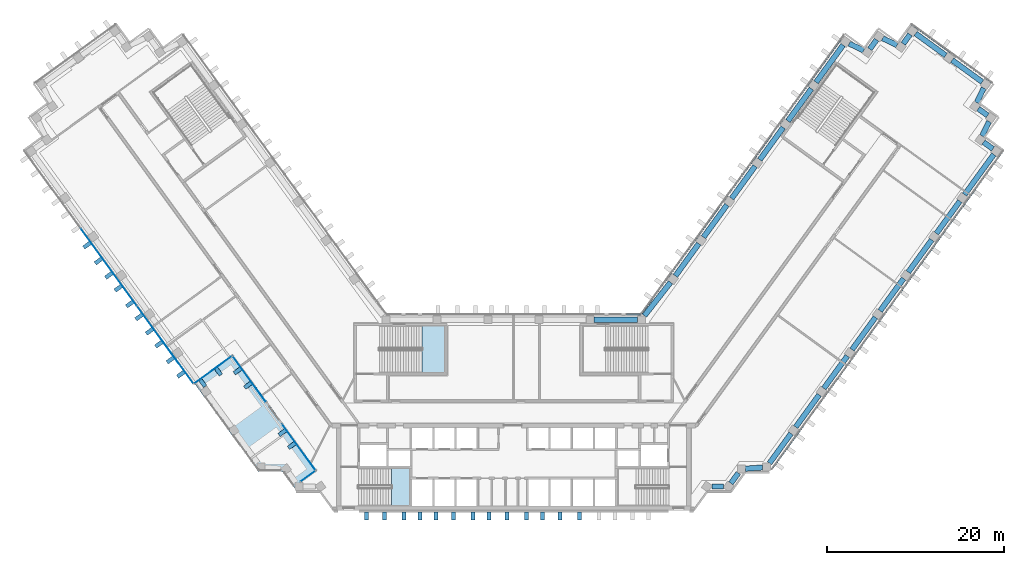
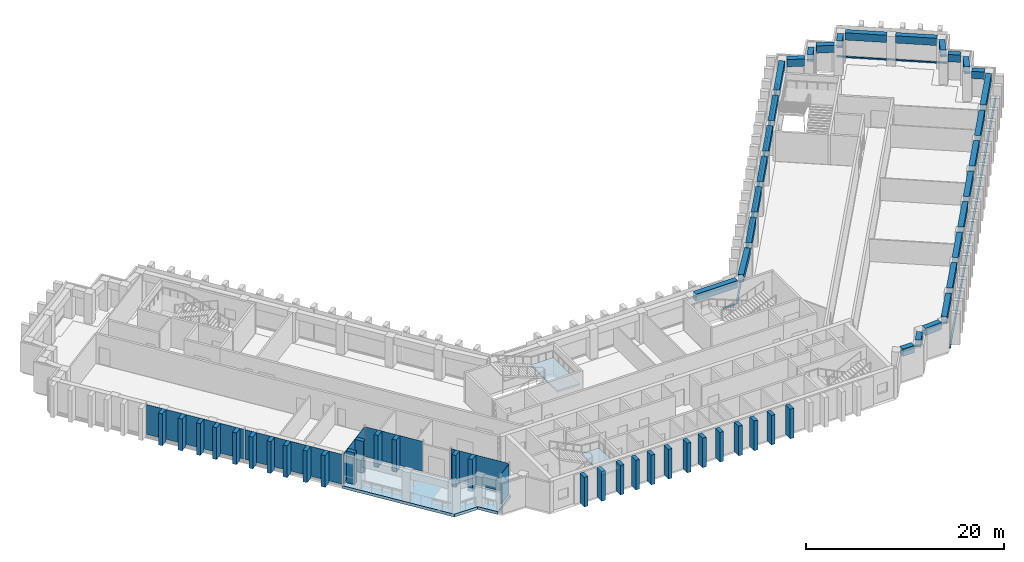
"""IFC4 building model written with IfcOpenShell, lengths in metres."""

from ifc_helpers import new_model, si_unit, direction, frame, origin, origin_2d, place, context, subcontext, project, spatial, polyline, rectangle, outline, extrude, material, layer, layer_set, material_profile, profile_set, type_object, element, aggregate, save


model = new_model("IFC4")

# Units and contexts
model_context = context("Model", 3, precision=1e-05, world=origin(), true_north=direction((0.0, 1.0)))
body_context = subcontext(model_context, "Body", "Model", "MODEL_VIEW")
ifc_project = project(units=[si_unit("LENGTHUNIT", "METRE"), si_unit("AREAUNIT", "SQUARE_METRE"), si_unit("VOLUMEUNIT", "CUBIC_METRE"), si_unit("PLANEANGLEUNIT", "RADIAN"), si_unit("MASSUNIT", "GRAM", prefix="KILO")], contexts=[model_context])

# Site, building, storey
site_placement = place(None, origin())
site = spatial("IfcSite", under=ifc_project, at=site_placement, CompositionType="ELEMENT")
building_placement = place(site_placement, origin())
building = spatial("IfcBuilding", under=site, at=building_placement, Name="Quipu Civic Tower", CompositionType="ELEMENT")
storey_1_placement = place(building_placement, frame((0.0, 0.0, 63.0)))
storey_1 = spatial("IfcBuildingStorey", under=building, at=storey_1_placement, Name="L14", CompositionType="ELEMENT", Elevation=63.0)

# Beams
ifc_material_1 = material(Name="Concrete C50/60", Category="concrete")
ifc_material_profile_1 = material_profile(ifc_material_1, rectangle(XDim=0.60009765625, YDim=0.89990234375, at=origin_2d()), Name="RC600x900")
ifc_profile_set_1 = profile_set([ifc_material_profile_1], Name="Concrete C50/60")
beam_type = type_object("IfcBeamType", Name="Spandrel beam RC 600x900 C50/60", PredefinedType="SPANDREL", material=ifc_profile_set_1)
beam_1_placement = place(storey_1_placement, frame((22.34814453125, -8.31494140625, 3.199951171875), z_axis=(1.0, 0.0, 0.0), x_axis=(0.0, 1.0, 0.0)))
element("IfcBeam", 1, at=beam_1_placement, inside=storey_1, type_object=beam_type, Name="Spandrel beam L14 J-Eo.1 to J-Eo.2", PredefinedType="SPANDREL", context=body_context, shape_type="SweptSolid", body=[
    extrude(rectangle(XDim=0.60009765625, YDim=0.89990234375, at=origin_2d()), origin(), (0.0, 0.0, 1.0), 1.33056640625),
])
beam_2_placement = place(storey_1_placement, frame((24.499755859375, -7.951171875, 3.199951171875), z_axis=(0.588433824377, 0.808545381738, 0.0), x_axis=(-0.808545381738, 0.588433824377, 0.0)))
element("IfcBeam", 2, at=beam_2_placement, inside=storey_1, type_object=beam_type, Name="Spandrel beam L14 J-Eo.2 to J-Eo.3", PredefinedType="SPANDREL", context=body_context, shape_type="SweptSolid", body=[
    extrude(rectangle(XDim=0.60009765625, YDim=0.89990234375, at=origin_2d()), origin(), (0.0, 0.0, 1.0), 1.439697265625),
])
beam_3_placement = place(storey_1_placement, frame((26.12451171875, -6.304443359375, 3.199951171875), z_axis=(0.997365981169, 0.072533437859, 0.0), x_axis=(-0.072533437859, 0.997365981169, 0.0)))
element("IfcBeam", 3, at=beam_3_placement, inside=storey_1, type_object=beam_type, Name="Spandrel beam L14 J-Eo.3 to J-Eo.4", PredefinedType="SPANDREL", context=body_context, shape_type="SweptSolid", body=[
    extrude(rectangle(XDim=0.60009765625, YDim=0.89990234375, at=origin_2d()), origin(), (0.0, 0.0, 1.0), 1.95556640625),
])
beam_4_placement = place(storey_1_placement, frame((28.85205078125, -5.679931640625, 3.199951171875), z_axis=(0.587750565781, 0.809042194464, 0.0), x_axis=(-0.809042194464, 0.587750565781, 0.0)))
element("IfcBeam", 4, at=beam_4_placement, inside=storey_1, type_object=beam_type, Name="Spandrel beam L14 J-Eo.4 to E-OUT-01", PredefinedType="SPANDREL", context=body_context, shape_type="SweptSolid", body=[
    extrude(rectangle(XDim=0.60009765625, YDim=0.89990234375, at=origin_2d()), origin(), (0.0, 0.0, 1.0), 4.13720703125),
])
beam_5_placement = place(storey_1_placement, frame((31.812744140625, -1.604736328125, 3.199951171875), z_axis=(0.587778073121, 0.809022210299, 0.0), x_axis=(-0.809022210299, 0.587778073121, 0.0)))
element("IfcBeam", 5, at=beam_5_placement, inside=storey_1, type_object=beam_type, Name="Spandrel beam L14 E-OUT-01 to E-OUT-02", PredefinedType="SPANDREL", context=body_context, shape_type="SweptSolid", body=[
    extrude(rectangle(XDim=0.60009765625, YDim=0.89990234375, at=origin_2d()), origin(), (0.0, 0.0, 1.0), 4.5),
])
beam_6_placement = place(storey_1_placement, frame((34.98681640625, 2.76416015625, 3.199951171875), z_axis=(0.587803872688, 0.809003465539, 0.0), x_axis=(-0.809003465539, 0.587803872688, 0.0)))
element("IfcBeam", 6, at=beam_6_placement, inside=storey_1, type_object=beam_type, Name="Spandrel beam L14 E-OUT-02 to E-OUT-03", PredefinedType="SPANDREL", context=body_context, shape_type="SweptSolid", body=[
    extrude(rectangle(XDim=0.60009765625, YDim=0.89990234375, at=origin_2d()), origin(), (0.0, 0.0, 1.0), 4.499755859375),
])
for number, where, z_axis, x_axis, name in (
    (7, (38.160888671875, 7.1328125, 3.199951171875), (0.587778073121, 0.809022210299, 0.0), (-0.809022210299, 0.587778073121, 0.0), "Spandrel beam L14 E-OUT-03 to E-OUT-04"),
    (8, (41.3349609375, 11.50146484375, 3.199951171875), (0.587778073121, 0.809022210299, 0.0), (-0.809022210299, 0.587778073121, 0.0), "Spandrel beam L14 E-OUT-04 to E-OUT-05"),
):
    element("IfcBeam", number, at=place(storey_1_placement, frame(where, z_axis=z_axis, x_axis=x_axis)), inside=storey_1, type_object=beam_type, Name=name, PredefinedType="SPANDREL", context=body_context, shape_type="SweptSolid", body=[
        extrude(rectangle(XDim=0.60009765625, YDim=0.89990234375, at=origin_2d()), origin(), (0.0, 0.0, 1.0), 4.5),
    ])
beam_7_placement = place(storey_1_placement, frame((44.5087890625, 15.870361328125, 3.199951171875), z_axis=(0.587803872688, 0.809003465539, 0.0), x_axis=(-0.809003465539, 0.587803872688, 0.0)))
element("IfcBeam", 9, at=beam_7_placement, inside=storey_1, type_object=beam_type, Name="Spandrel beam L14 E-OUT-05 to E-OUT-06", PredefinedType="SPANDREL", context=body_context, shape_type="SweptSolid", body=[
    extrude(rectangle(XDim=0.60009765625, YDim=0.89990234375, at=origin_2d()), origin(), (0.0, 0.0, 1.0), 4.499755859375),
])
beam_8_placement = place(storey_1_placement, frame((47.682861328125, 20.23876953125, 3.199951171875), z_axis=(0.587778073121, 0.809022210299, 0.0), x_axis=(-0.809022210299, 0.587778073121, 0.0)))
element("IfcBeam", 10, at=beam_8_placement, inside=storey_1, type_object=beam_type, Name="Spandrel beam L14 E-OUT-06 to E-OUT-07", PredefinedType="SPANDREL", context=body_context, shape_type="SweptSolid", body=[
    extrude(rectangle(XDim=0.60009765625, YDim=0.89990234375, at=origin_2d()), origin(), (0.0, 0.0, 1.0), 4.5),
])
beam_9_placement = place(storey_1_placement, frame((50.85693359375, 24.607666015625, 3.199951171875), z_axis=(0.587772657145, 0.809026145135, 0.0), x_axis=(-0.809026145135, 0.587772657145, 0.0)))
element("IfcBeam", 11, at=beam_9_placement, inside=storey_1, type_object=beam_type, Name="Spandrel beam L14 E-OUT-07 to T-Eo.0-E50", PredefinedType="SPANDREL", context=body_context, shape_type="SweptSolid", body=[
    extrude(rectangle(XDim=0.60009765625, YDim=0.89990234375, at=origin_2d()), origin(), (0.0, 0.0, 1.0), 5.603271484375),
])
beam_10_placement = place(storey_1_placement, frame((54.051025390625, 29.769775390625, 3.199951171875), z_axis=(-0.808549242423, 0.588428519514, 0.0), x_axis=(-0.588428519514, -0.808549242423, 0.0)))
element("IfcBeam", 12, at=beam_10_placement, inside=storey_1, type_object=beam_type, Name="Spandrel beam L14 T-Eo.0-E50 to T-Eo.1-E50", PredefinedType="SPANDREL", context=body_context, shape_type="SweptSolid", body=[
    extrude(rectangle(XDim=0.60009765625, YDim=0.89990234375, at=origin_2d()), origin(), (0.0, 0.0, 1.0), 1.2998046875),
])
beam_11_placement = place(storey_1_placement, frame((52.83349609375, 31.21240234375, 3.199951171875), z_axis=(0.431446050156, 0.902138739776, 0.0), x_axis=(-0.902138739776, 0.431446050156, 0.0)))
element("IfcBeam", 13, at=beam_11_placement, inside=storey_1, type_object=beam_type, Name="Spandrel beam L14 T-Eo.1-E50 to T-Eo.2-E50", PredefinedType="SPANDREL", context=body_context, shape_type="SweptSolid", body=[
    extrude(rectangle(XDim=0.60009765625, YDim=0.89990234375, at=origin_2d()), origin(), (0.0, 0.0, 1.0), 1.828857421875),
])
beam_12_placement = place(storey_1_placement, frame((53.4560546875, 33.539794921875, 3.199951171875), z_axis=(-0.808509099783, 0.588483674853, 0.0), x_axis=(-0.588483674853, -0.808509099783, 0.0)))
element("IfcBeam", 14, at=beam_12_placement, inside=storey_1, type_object=beam_type, Name="Spandrel beam L14 T-Eo.2-E50 to T-Eo.3-E50", PredefinedType="SPANDREL", context=body_context, shape_type="SweptSolid", body=[
    extrude(rectangle(XDim=0.60009765625, YDim=0.89990234375, at=origin_2d()), origin(), (0.0, 0.0, 1.0), 1.302734375),
])
beam_13_placement = place(storey_1_placement, frame((52.23583984375, 34.984375, 3.199951171875), z_axis=(0.430166558323, 0.902749540072, 0.0), x_axis=(-0.902749540072, 0.430166558323, 0.0)))
element("IfcBeam", 15, at=beam_13_placement, inside=storey_1, type_object=beam_type, Name="Spandrel beam L14 T-Eo.3-E50 to T-Eo.4-E50", PredefinedType="SPANDREL", context=body_context, shape_type="SweptSolid", body=[
    extrude(rectangle(XDim=0.60009765625, YDim=0.89990234375, at=origin_2d()), origin(), (0.0, 0.0, 1.0), 1.830322265625),
])
beam_14_placement = place(storey_1_placement, frame((52.85595703125, 37.314453125, 3.199951171875), z_axis=(-0.808959834407, 0.587863918196, 0.0), x_axis=(-0.587863918196, -0.808959834407, 0.0)))
element("IfcBeam", 16, at=beam_14_placement, inside=storey_1, type_object=beam_type, Name="Spandrel beam L14 T-Eo.4-E50 to TIP-E-01-E50", PredefinedType="SPANDREL", context=body_context, shape_type="SweptSolid", body=[
    extrude(rectangle(XDim=0.60009765625, YDim=0.89990234375, at=origin_2d()), origin(), (0.0, 0.0, 1.0), 4.1982421875),
])
beam_15_placement = place(storey_1_placement, frame((48.731689453125, 40.3115234375, 3.199951171875), z_axis=(-0.808969789945, 0.58785021813, 0.0), x_axis=(-0.58785021813, -0.808969789945, 0.0)))
element("IfcBeam", 17, at=beam_15_placement, inside=storey_1, type_object=beam_type, Name="Spandrel beam L14 TIP-E-01-E50 to T-Ei.0-E50", PredefinedType="SPANDREL", context=body_context, shape_type="SweptSolid", body=[
    extrude(rectangle(XDim=0.60009765625, YDim=0.89990234375, at=origin_2d()), origin(), (0.0, 0.0, 1.0), 4.199951171875),
])
beam_16_placement = place(storey_1_placement, frame((44.705322265625, 42.68115234375, 3.199951171875), z_axis=(-0.588383572423, -0.808581951136, 0.0), x_axis=(0.808581951136, -0.588383572423, 0.0)))
element("IfcBeam", 18, at=beam_16_placement, inside=storey_1, type_object=beam_type, Name="Spandrel beam L14 T-Ei.0-E50 to T-Ei.1-E50", PredefinedType="SPANDREL", context=body_context, shape_type="SweptSolid", body=[
    extrude(rectangle(XDim=0.60009765625, YDim=0.89990234375, at=origin_2d()), origin(), (0.0, 0.0, 1.0), 1.3017578125),
])
beam_17_placement = place(storey_1_placement, frame((43.261474609375, 41.4619140625, 3.199951171875), z_axis=(-0.902613270121, 0.430452418511, 0.0), x_axis=(-0.430452418511, -0.902613270121, 0.0)))
element("IfcBeam", 19, at=beam_17_placement, inside=storey_1, type_object=beam_type, Name="Spandrel beam L14 T-Ei.1-E50 to T-Ei.2-E50", PredefinedType="SPANDREL", context=body_context, shape_type="SweptSolid", body=[
    extrude(rectangle(XDim=0.60009765625, YDim=0.89990234375, at=origin_2d()), origin(), (0.0, 0.0, 1.0), 1.826416015625),
])
beam_18_placement = place(storey_1_placement, frame((40.935302734375, 42.0810546875, 3.199951171875), z_axis=(-0.588461937499, -0.808524921146, 0.0), x_axis=(0.808524921146, -0.588461937499, 0.0)))
element("IfcBeam", 20, at=beam_18_placement, inside=storey_1, type_object=beam_type, Name="Spandrel beam L14 T-Ei.2-E50 to T-Ei.3-E50", PredefinedType="SPANDREL", context=body_context, shape_type="SweptSolid", body=[
    extrude(rectangle(XDim=0.60009765625, YDim=0.89990234375, at=origin_2d()), origin(), (0.0, 0.0, 1.0), 1.30029296875),
])
beam_19_placement = place(storey_1_placement, frame((39.492431640625, 40.863037109375, 3.199951171875), z_axis=(-0.90245397739, 0.430786279601, 0.0), x_axis=(-0.430786279601, -0.90245397739, 0.0)))
element("IfcBeam", 21, at=beam_19_placement, inside=storey_1, type_object=beam_type, Name="Spandrel beam L14 T-Ei.3-E50 to T-Ei.4-E50", PredefinedType="SPANDREL", context=body_context, shape_type="SweptSolid", body=[
    extrude(rectangle(XDim=0.60009765625, YDim=0.89990234375, at=origin_2d()), origin(), (0.0, 0.0, 1.0), 1.83349609375),
])
beam_20_placement = place(storey_1_placement, frame((37.160400390625, 41.48583984375, 3.199951171875), z_axis=(-0.587732861365, -0.80905505602, 0.0), x_axis=(0.80905505602, -0.587732861365, 0.0)))
element("IfcBeam", 22, at=beam_20_placement, inside=storey_1, type_object=beam_type, Name="Spandrel beam L14 T-Ei.4-E50 to E-IN-06", PredefinedType="SPANDREL", context=body_context, shape_type="SweptSolid", body=[
    extrude(rectangle(XDim=0.60009765625, YDim=0.89990234375, at=origin_2d()), origin(), (0.0, 0.0, 1.0), 5.194580078125),
])
for number, where, z_axis, x_axis, name in (
    (23, (33.578369140625, 36.55517578125, 3.199951171875), (-0.587716763865, -0.809066749701, 0.0), (0.809066749701, -0.587716763865, 0.0), "Spandrel beam L14 E-IN-06 to E-IN-05"),
    (24, (30.404541015625, 32.186279296875, 3.199951171875), (-0.587742561851, -0.809048009076, 0.0), (0.809048009076, -0.587742561851, 0.0), "Spandrel beam L14 E-IN-05 to E-IN-04"),
    (25, (27.230712890625, 27.8173828125, 3.199951171875), (-0.587778073121, -0.809022210299, 0.0), (0.809022210299, -0.587778073121, 0.0), "Spandrel beam L14 E-IN-04 to E-IN-03"),
    (26, (24.056884765625, 23.448486328125, 3.199951171875), (-0.587778073121, -0.809022210299, 0.0), (0.809022210299, -0.587778073121, 0.0), "Spandrel beam L14 E-IN-03 to E-IN-02"),
    (27, (20.8828125, 19.079833984375, 3.199951171875), (-0.587716763865, -0.809066749701, 0.0), (0.809066749701, -0.587716763865, 0.0), "Spandrel beam L14 E-IN-02 to E-IN-01"),
):
    element("IfcBeam", number, at=place(storey_1_placement, frame(where, z_axis=z_axis, x_axis=x_axis)), inside=storey_1, type_object=beam_type, Name=name, PredefinedType="SPANDREL", context=body_context, shape_type="SweptSolid", body=[
        extrude(rectangle(XDim=0.60009765625, YDim=0.89990234375, at=origin_2d()), origin(), (0.0, 0.0, 1.0), 4.5),
    ])
beam_21_placement = place(storey_1_placement, frame((17.6962890625, 14.72021484375, 3.199951171875), z_axis=(-0.616123961998, -0.787649200756, 0.0), x_axis=(0.787649200756, -0.616123961998, 0.0)))
element("IfcBeam", 28, at=beam_21_placement, inside=storey_1, type_object=beam_type, Name="Spandrel beam L14 E-IN-01 to J-Ei.0", PredefinedType="SPANDREL", context=body_context, shape_type="SweptSolid", body=[
    extrude(rectangle(XDim=0.60009765625, YDim=0.89990234375, at=origin_2d()), origin(), (0.0, 0.0, 1.0), 4.78662109375),
])
beam_22_placement = place(storey_1_placement, frame((13.9453125, 10.5, 3.199951171875), z_axis=(-1.0, 0.0, 0.0), x_axis=(0.0, -1.0, 0.0)))
element("IfcBeam", 29, at=beam_22_placement, inside=storey_1, type_object=beam_type, Name="Spandrel beam L14 J-Ei.0 to FRONT-01", PredefinedType="SPANDREL", context=body_context, shape_type="SweptSolid", body=[
    extrude(rectangle(XDim=0.60009765625, YDim=0.89990234375, at=origin_2d()), origin(), (0.0, 0.0, 1.0), 4.858154296875),
])

# Storey
storey_2_placement = place(building_placement, frame((0.0, 0.0, 59.0)))
storey_2 = spatial("IfcBuildingStorey", under=building, at=storey_2_placement, Name="L13", CompositionType="ELEMENT", Elevation=59.0)

# Curtain wall, members
ifc_material_2 = material(Name="Insulated glass unit", Category="glass")
curtain_wall_type = type_object("IfcCurtainWallType", Name="Office curtain wall CW1", PredefinedType="NOTDEFINED", material=ifc_material_2)
curtain_wall_1_placement = place(storey_2_placement, origin())
curtain_wall_1 = element("IfcCurtainWall", 30, at=curtain_wall_1_placement, inside=storey_2, type_object=curtain_wall_type, Name="Office curtain wall CW1 L12 run 26", PredefinedType="NOTDEFINED")
ifc_material_3 = material(Name="Anodised aluminium", Category="aluminium")
ifc_material_profile_2 = material_profile(ifc_material_3, rectangle(XDim=0.199951171875, YDim=0.159912109375, at=origin_2d()), Name="RECT 200x160")
ifc_profile_set_2 = profile_set([ifc_material_profile_2], Name="Anodised aluminium")
member_type = type_object("IfcMemberType", Name="Transom CW1", PredefinedType="USERDEFINED", material=ifc_profile_set_2)
member_1_placement = place(storey_1_placement, frame((29.10302734375, -6.35546875, 0.080078125), z_axis=(0.587779179422, 0.809021406539, 0.0), x_axis=(-0.809021406539, 0.587779179422, 0.0)))
member_1 = element("IfcMember", 31, at=member_1_placement, inside=storey_1, type_object=member_type, Name="CW1 transom 1.3", ObjectType="TRANSOM", PredefinedType="USERDEFINED", context=body_context, shape_type="SweptSolid", body=[
    extrude(rectangle(XDim=0.199951171875, YDim=0.159912109375, at=origin_2d()), origin(), (0.0, 0.0, 1.0), 11.02294921875),
])
member_2_placement = place(storey_1_placement, frame((35.62890625, 2.626953125, 0.080078125), z_axis=(0.587795037589, 0.80900988485, 0.0), x_axis=(-0.80900988485, 0.587795037589, 0.0)))
member_2 = element("IfcMember", 32, at=member_2_placement, inside=storey_1, type_object=member_type, Name="CW1 transom 2.3", ObjectType="TRANSOM", PredefinedType="USERDEFINED", context=body_context, shape_type="SweptSolid", body=[
    extrude(rectangle(XDim=0.199951171875, YDim=0.159912109375, at=origin_2d()), origin(), (0.0, 0.0, 1.0), 11.062744140625),
])
member_3_placement = place(storey_1_placement, frame((42.178466796875, 11.6416015625, 0.080078125), z_axis=(0.587795037589, 0.80900988485, 0.0), x_axis=(-0.80900988485, 0.587795037589, 0.0)))
member_3 = element("IfcMember", 33, at=member_3_placement, inside=storey_1, type_object=member_type, Name="CW1 transom 3.3", ObjectType="TRANSOM", PredefinedType="USERDEFINED", context=body_context, shape_type="SweptSolid", body=[
    extrude(rectangle(XDim=0.199951171875, YDim=0.159912109375, at=origin_2d()), origin(), (0.0, 0.0, 1.0), 11.062744140625),
])
member_4_placement = place(storey_1_placement, frame((48.72802734375, 20.65625, 0.080078125), z_axis=(0.587779179422, 0.809021406539, 0.0), x_axis=(-0.809021406539, 0.587779179422, 0.0)))
member_4 = element("IfcMember", 34, at=member_4_placement, inside=storey_1, type_object=member_type, Name="CW1 transom 4.3", ObjectType="TRANSOM", PredefinedType="USERDEFINED", context=body_context, shape_type="SweptSolid", body=[
    extrude(rectangle(XDim=0.199951171875, YDim=0.159912109375, at=origin_2d()), origin(), (0.0, 0.0, 1.0), 11.02294921875),
])
aggregate(curtain_wall_1, [member_1, member_2, member_3, member_4])

# Curtain wall, member
curtain_wall_2_placement = place(storey_2_placement, origin())
curtain_wall_2 = element("IfcCurtainWall", 35, at=curtain_wall_2_placement, inside=storey_2, type_object=curtain_wall_type, Name="Office curtain wall CW1 L12 run 31", PredefinedType="NOTDEFINED")
member_5_placement = place(storey_1_placement, frame((53.994873046875, 37.228515625, 0.080078125), z_axis=(-0.809032792449, 0.587763507495, 0.0), x_axis=(-0.587763507495, -0.809032792449, 0.0)))
member_5 = element("IfcMember", 36, at=member_5_placement, inside=storey_1, type_object=member_type, Name="CW1 transom 1.3", ObjectType="TRANSOM", PredefinedType="USERDEFINED", context=body_context, shape_type="SweptSolid", body=[
    extrude(rectangle(XDim=0.199951171875, YDim=0.159912109375, at=origin_2d()), origin(), (0.0, 0.0, 1.0), 11.239990234375),
])
aggregate(curtain_wall_2, [member_5])

# Curtain wall, members
curtain_wall_3_placement = place(storey_2_placement, origin())
curtain_wall_3 = element("IfcCurtainWall", 37, at=curtain_wall_3_placement, inside=storey_2, type_object=curtain_wall_type, Name="Office curtain wall CW1 L12 run 36", PredefinedType="NOTDEFINED")
member_6_placement = place(storey_1_placement, frame((37.246826171875, 42.622802734375, 0.080078125), z_axis=(-0.587775627857, -0.809023986849, 0.0), x_axis=(0.809023986849, -0.587775627857, 0.0)))
member_6 = element("IfcMember", 38, at=member_6_placement, inside=storey_1, type_object=member_type, Name="CW1 transom 1.3", ObjectType="TRANSOM", PredefinedType="USERDEFINED", context=body_context, shape_type="SweptSolid", body=[
    extrude(rectangle(XDim=0.199951171875, YDim=0.159912109375, at=origin_2d()), origin(), (0.0, 0.0, 1.0), 9.64111328125),
])
member_7_placement = place(storey_1_placement, frame((31.532958984375, 34.75830078125, 0.080078125), z_axis=(-0.58778177227, -0.809019522748, 0.0), x_axis=(0.809019522748, -0.58778177227, 0.0)))
member_7 = element("IfcMember", 39, at=member_7_placement, inside=storey_1, type_object=member_type, Name="CW1 transom 2.3", ObjectType="TRANSOM", PredefinedType="USERDEFINED", context=body_context, shape_type="SweptSolid", body=[
    extrude(rectangle(XDim=0.199951171875, YDim=0.159912109375, at=origin_2d()), origin(), (0.0, 0.0, 1.0), 9.68115234375),
])
member_8_placement = place(storey_1_placement, frame((25.795654296875, 26.861328125, 0.080078125), z_axis=(-0.587793764301, -0.80901080997, 0.0), x_axis=(0.80901080997, -0.587793764301, 0.0)))
member_8 = element("IfcMember", 40, at=member_8_placement, inside=storey_1, type_object=member_type, Name="CW1 transom 3.3", ObjectType="TRANSOM", PredefinedType="USERDEFINED", context=body_context, shape_type="SweptSolid", body=[
    extrude(rectangle(XDim=0.199951171875, YDim=0.159912109375, at=origin_2d()), origin(), (0.0, 0.0, 1.0), 9.680908203125),
])
member_9_placement = place(storey_1_placement, frame((20.05810546875, 18.964599609375, 0.080078125), z_axis=(-0.58779220199, -0.809011945079, 0.0), x_axis=(0.809011945079, -0.58779220199, 0.0)))
member_9 = element("IfcMember", 41, at=member_9_placement, inside=storey_1, type_object=member_type, Name="CW1 transom 4.3", ObjectType="TRANSOM", PredefinedType="USERDEFINED", context=body_context, shape_type="SweptSolid", body=[
    extrude(rectangle(XDim=0.199951171875, YDim=0.159912109375, at=origin_2d()), origin(), (0.0, 0.0, 1.0), 9.64111328125),
])
aggregate(curtain_wall_3, [member_6, member_7, member_8, member_9])

# Curtain wall, member
curtain_wall_4_placement = place(storey_2_placement, origin())
curtain_wall_4 = element("IfcCurtainWall", 42, at=curtain_wall_4_placement, inside=storey_2, type_object=curtain_wall_type, Name="Office curtain wall CW1 L12 run 37", PredefinedType="NOTDEFINED")
member_10_placement = place(storey_1_placement, frame((14.26416015625, 11.10009765625, 0.080078125), z_axis=(-1.0, 0.0, 0.0), x_axis=(0.0, -1.0, 0.0)))
member_10 = element("IfcMember", 43, at=member_10_placement, inside=storey_1, type_object=member_type, Name="CW1 transom 1.3", ObjectType="TRANSOM", PredefinedType="USERDEFINED", context=body_context, shape_type="SweptSolid", body=[
    extrude(rectangle(XDim=0.199951171875, YDim=0.159912109375, at=origin_2d()), origin(), (0.0, 0.0, 1.0), 1.529052734375),
])
aggregate(curtain_wall_4, [member_10])

# Curtain wall, plates
curtain_wall_5_placement = place(storey_1_placement, origin())
curtain_wall_5 = element("IfcCurtainWall", 44, at=curtain_wall_5_placement, inside=storey_1, type_object=curtain_wall_type, Name="Office curtain wall CW1 L14 run 1", PredefinedType="NOTDEFINED")
ifc_material_4 = material(Name="Insulated glass unit", Category="glass")
ifc_layer_1 = layer(ifc_material_4, 0.028076171875)
ifc_layer_set_1 = layer_set([ifc_layer_1], Name="Insulated glass unit")
plate_type_1 = type_object("IfcPlateType", Name="Glass panel CW1", PredefinedType="CURTAIN_PANEL", material=ifc_layer_set_1)
plate_1_placement = place(storey_1_placement, frame((-45.673095703125, 16.45166015625, 0.240234375), z_axis=(0.0, 0.0, 1.0), x_axis=(0.587786055791, -0.809016410598, 0.0)))
plate_1 = element("IfcPlate", 45, at=plate_1_placement, type_object=plate_type_1, Name="CW1 panel 2.1", PredefinedType="CURTAIN_PANEL", context=body_context, shape_type="SweptSolid", body=[
    extrude(rectangle(XDim=10.78662109375, YDim=0.028076171875, at=origin_2d()), origin(), (0.0, 0.0, 1.0), 3.679931640625),
])
plate_2_placement = place(storey_1_placement, frame((-39.297607421875, 7.676513671875, 0.240234375), z_axis=(0.0, 0.0, 1.0), x_axis=(0.587786055791, -0.809016410598, 0.0)))
plate_2 = element("IfcPlate", 46, at=plate_2_placement, type_object=plate_type_1, Name="CW1 panel 3.1", PredefinedType="CURTAIN_PANEL", context=body_context, shape_type="SweptSolid", body=[
    extrude(rectangle(XDim=10.74658203125, YDim=0.028076171875, at=origin_2d()), origin(), (0.0, 0.0, 1.0), 3.679931640625),
])
aggregate(curtain_wall_5, [plate_1, plate_2])

# Curtain wall, plate
curtain_wall_6_placement = place(storey_1_placement, origin())
curtain_wall_6 = element("IfcCurtainWall", 47, at=curtain_wall_6_placement, inside=storey_1, type_object=curtain_wall_type, Name="Office curtain wall CW1 L14 run 2", PredefinedType="NOTDEFINED")
plate_3_placement = place(storey_1_placement, frame((-33.907958984375, 4.851806640625, 0.240234375), z_axis=(0.0, 0.0, 1.0), x_axis=(0.809021075291, 0.587779635352, 0.0)))
plate_3 = element("IfcPlate", 48, at=plate_3_placement, type_object=plate_type_1, Name="CW1 panel 1.1", PredefinedType="CURTAIN_PANEL", context=body_context, shape_type="SweptSolid", body=[
    extrude(rectangle(XDim=5.239990234375, YDim=0.028076171875, at=origin_2d()), origin(), (0.0, 0.0, 1.0), 3.679931640625),
])
aggregate(curtain_wall_6, [plate_3])

curtain_wall_7_placement = place(storey_1_placement, origin())
curtain_wall_7 = element("IfcCurtainWall", 49, at=curtain_wall_7_placement, inside=storey_1, type_object=curtain_wall_type, Name="Office curtain wall CW1 L14 run 3", PredefinedType="NOTDEFINED")
plate_4_placement = place(storey_1_placement, frame((-29.8076171875, 3.8017578125, 0.240234375), z_axis=(0.0, 0.0, 1.0), x_axis=(0.587786728906, -0.809015921551, 0.0)))
plate_4 = element("IfcPlate", 50, at=plate_4_placement, type_object=plate_type_1, Name="CW1 panel 1.1", PredefinedType="CURTAIN_PANEL", context=body_context, shape_type="SweptSolid", body=[
    extrude(rectangle(XDim=6.359130859375, YDim=0.028076171875, at=origin_2d()), origin(), (0.0, 0.0, 1.0), 3.679931640625),
])
aggregate(curtain_wall_7, [plate_4])

curtain_wall_8_placement = place(storey_1_placement, origin())
curtain_wall_8 = element("IfcCurtainWall", 51, at=curtain_wall_8_placement, inside=storey_1, type_object=curtain_wall_type, Name="Office curtain wall CW1 L14 run 5", PredefinedType="NOTDEFINED")
plate_5_placement = place(storey_1_placement, frame((-24.234619140625, -3.868896484375, 0.240234375), z_axis=(0.0, 0.0, 1.0), x_axis=(0.587774803097, -0.809024586057, 0.0)))
plate_5 = element("IfcPlate", 52, at=plate_5_placement, type_object=plate_type_1, Name="CW1 panel 1.1", PredefinedType="CURTAIN_PANEL", context=body_context, shape_type="SweptSolid", body=[
    extrude(rectangle(XDim=6.35791015625, YDim=0.028076171875, at=origin_2d()), origin(), (0.0, 0.0, 1.0), 3.679931640625),
])
aggregate(curtain_wall_8, [plate_5])

curtain_wall_9_placement = place(storey_1_placement, origin())
curtain_wall_9 = element("IfcCurtainWall", 53, at=curtain_wall_9_placement, inside=storey_1, type_object=curtain_wall_type, Name="Office curtain wall CW1 L14 run 6", PredefinedType="NOTDEFINED")
plate_6_placement = place(storey_1_placement, frame((-23.198974609375, -7.144775390625, 0.240234375), z_axis=(0.0, 0.0, 1.0), x_axis=(-0.809016313704, -0.587786189155, 0.0)))
plate_6 = element("IfcPlate", 54, at=plate_6_placement, type_object=plate_type_1, Name="CW1 panel 1.1", PredefinedType="CURTAIN_PANEL", context=body_context, shape_type="SweptSolid", body=[
    extrude(rectangle(XDim=2.01513671875, YDim=0.028076171875, at=origin_2d()), origin(), (0.0, 0.0, 1.0), 3.679931640625),
])
aggregate(curtain_wall_9, [plate_6])

# Plates
ifc_material_5 = material(Name="Precast concrete C40/50", Category="concrete")
plate_type_2 = type_object("IfcPlateType", Name="Precast fin F1", PredefinedType="SHEET", material=ifc_material_5)
for number, where, z_axis, x_axis, name in (
    (55, (-16.574951171875, -11.637939453125, 0.0), (0.0, 0.0, 1.0), (1.0, 0.0, 0.0), "Precast fin F1 L14.P12.1"),
    (56, (-14.574951171875, -11.637939453125, 0.0), (0.0, 0.0, 1.0), (1.0, 0.0, 0.0), "Precast fin F1 L14.P12.2"),
    (57, (-12.375, -11.637939453125, 0.0), (0.0, 0.0, 1.0), (1.0, 0.0, 0.0), "Precast fin F1 L14.P12.3"),
    (58, (-10.574951171875, -11.637939453125, 0.0), (0.0, 0.0, 1.0), (1.0, 0.0, 0.0), "Precast fin F1 L14.P12.4"),
    (59, (-8.77490234375, -11.637939453125, 0.0), (0.0, 0.0, 1.0), (1.0, 0.0, 0.0), "Precast fin F1 L14.P12.5"),
    (60, (-6.77490234375, -11.637939453125, 0.0), (0.0, 0.0, 1.0), (1.0, 0.0, 0.0), "Precast fin F1 L14.P12.6"),
    (61, (-4.574951171875, -11.637939453125, 0.0), (0.0, 0.0, 1.0), (1.0, 0.0, 0.0), "Precast fin F1 L14.P12.7"),
    (62, (-2.77490234375, -11.637939453125, 0.0), (0.0, 0.0, 1.0), (1.0, 0.0, 0.0), "Precast fin F1 L14.P12.8"),
    (63, (-0.77490234375, -11.637939453125, 0.0), (0.0, 0.0, 1.0), (1.0, 0.0, 0.0), "Precast fin F1 L14.P12.9"),
    (64, (1.425048828125, -11.637939453125, 0.0), (0.0, 0.0, 1.0), (1.0, 0.0, 0.0), "Precast fin F1 L14.P12.10"),
    (65, (3.22509765625, -11.637939453125, 0.0), (0.0, 0.0, 1.0), (1.0, 0.0, 0.0), "Precast fin F1 L14.P12.11"),
    (66, (5.22509765625, -11.637939453125, 0.0), (0.0, 0.0, 1.0), (1.0, 0.0, 0.0), "Precast fin F1 L14.P12.12"),
    (67, (7.425048828125, -11.637939453125, 0.0), (0.0, 0.0, 1.0), (1.0, 0.0, 0.0), "Precast fin F1 L14.P12.13"),
):
    element("IfcPlate", number, at=place(storey_1_placement, frame(where, z_axis=z_axis, x_axis=x_axis)), inside=storey_1, type_object=plate_type_2, Name=name, PredefinedType="SHEET", context=body_context, shape_type="SweptSolid", body=[
        extrude(rectangle(XDim=0.449951171875, YDim=0.89990234375, at=origin_2d()), origin(), (0.0, 0.0, 1.0), 3.64990234375),
    ])
for number, where, z_axis, x_axis, name in (
    (68, (-48.13134765625, 18.899169921875, 0.080078125), (0.0, 0.0, 1.0), (0.587785143244, -0.809017073604, 0.0), "Precast fin F1 L14.1.7"),
    (69, (-46.838134765625, 17.119384765625, 0.080078125), (0.0, 0.0, 1.0), (0.587785143244, -0.809017073604, 0.0), "Precast fin F1 L14.1.8"),
    (70, (-45.66259765625, 15.50146484375, 0.080078125), (0.0, 0.0, 1.0), (0.587785143244, -0.809017073604, 0.0), "Precast fin F1 L14.1.9"),
    (71, (-44.6044921875, 14.045166015625, 0.080078125), (0.0, 0.0, 1.0), (0.587785143244, -0.809017073604, 0.0), "Precast fin F1 L14.1.10"),
    (72, (-43.3115234375, 12.265380859375, 0.080078125), (0.0, 0.0, 1.0), (0.587785143244, -0.809017073604, 0.0), "Precast fin F1 L14.1.11"),
    (73, (-42.25341796875, 10.80908203125, 0.080078125), (0.0, 0.0, 1.0), (0.587785143244, -0.809017073604, 0.0), "Precast fin F1 L14.1.12"),
    (74, (-41.077880859375, 9.191162109375, 0.080078125), (0.0, 0.0, 1.0), (0.587785143244, -0.809017073604, 0.0), "Precast fin F1 L14.1.13"),
    (75, (-40.019775390625, 7.73486328125, 0.080078125), (0.0, 0.0, 1.0), (0.587785143244, -0.809017073604, 0.0), "Precast fin F1 L14.1.14"),
    (76, (-38.726806640625, 5.955078125, 0.080078125), (0.0, 0.0, 1.0), (0.587785143244, -0.809017073604, 0.0), "Precast fin F1 L14.1.15"),
    (77, (-37.55126953125, 4.3369140625, 0.080078125), (0.0, 0.0, 1.0), (0.587785143244, -0.809017073604, 0.0), "Precast fin F1 L14.1.16"),
    (78, (-35.06103515625, 3.333984375, 0.080078125), (0.0, 0.0, 1.0), (0.809021075291, 0.587779635352, 0.0), "Precast fin F1 L14.2.1"),
    (79, (-33.28125, 4.627197265625, 0.080078125), (0.0, 0.0, 1.0), (0.809021075291, 0.587779635352, 0.0), "Precast fin F1 L14.2.2"),
    (80, (-31.154541015625, 4.719970703125, 0.080078125), (0.0, 0.0, 1.0), (0.587783675566, -0.809018139931, 0.0), "Precast fin F1 L14.3.1"),
    (81, (-29.97900390625, 3.101806640625, 0.080078125), (0.0, 0.0, 1.0), (0.587783675566, -0.809018139931, 0.0), "Precast fin F1 L14.3.2"),
    (82, (-26.099365234375, -2.238037109375, 0.080078125), (0.0, 0.0, 1.0), (0.587783675566, -0.809018139931, 0.0), "Precast fin F1 L14.5.1"),
    (83, (-25.04150390625, -3.6943359375, 0.080078125), (0.0, 0.0, 1.0), (0.587783675566, -0.809018139931, 0.0), "Precast fin F1 L14.5.2"),
):
    element("IfcPlate", number, at=place(storey_1_placement, frame(where, z_axis=z_axis, x_axis=x_axis)), inside=storey_1, type_object=plate_type_2, Name=name, PredefinedType="SHEET", context=body_context, shape_type="SweptSolid", body=[
        extrude(rectangle(XDim=0.449951171875, YDim=0.89990234375, at=origin_2d()), origin(), (0.0, 0.0, 1.0), 3.919921875),
    ])

# Stair, slab
ifc_material_6 = material(Name="Concrete C40/50", Category="concrete")
stair_type_1 = type_object("IfcStairType", Name="Half turn stair 2000", PredefinedType="HALF_TURN_STAIR", material=ifc_material_6)
stair_1_placement = place(storey_1_placement, origin())
stair_1 = element("IfcStair", 84, at=stair_1_placement, inside=storey_1, type_object=stair_type_1, Name="Exit stair 1", PredefinedType="HALF_TURN_STAIR")
ifc_material_7 = material(Name="Concrete C40/50", Category="concrete")
ifc_layer_2 = layer(ifc_material_7, 0.199951171875)
ifc_layer_set_2 = layer_set([ifc_layer_2], Name="Concrete C40/50")
slab_type_1 = type_object("IfcSlabType", Name="Stair landing 200", PredefinedType="LANDING", material=ifc_layer_set_2)
slab_1_placement = place(storey_1_placement, frame((0.0, 0.0, 1.800048828125)))
slab_1 = element("IfcSlab", 85, at=slab_1_placement, type_object=slab_type_1, Name="ST-1 landing 1", PredefinedType="LANDING", context=body_context, shape_type="SweptSolid", body=[
    extrude(outline(polyline([(-13.780029296875, -10.5), (-11.699951171875, -10.5), (-11.699951171875, -6.25), (-13.780029296875, -6.25), (-13.780029296875, -10.5)])), origin(), (0.0, 0.0, 1.0), 0.199951171875),
])
aggregate(stair_1, [slab_1])

ifc_material_8 = material(Name="Concrete C40/50", Category="concrete")
stair_type_2 = type_object("IfcStairType", Name="Half turn stair 2600", PredefinedType="HALF_TURN_STAIR", material=ifc_material_8)
stair_2_placement = place(storey_1_placement, origin())
stair_2 = element("IfcStair", 86, at=stair_2_placement, inside=storey_1, type_object=stair_type_2, Name="Exit stair 3", PredefinedType="HALF_TURN_STAIR")
slab_2_placement = place(storey_1_placement, frame((0.0, 0.0, 1.800048828125)))
slab_2 = element("IfcSlab", 87, at=slab_2_placement, type_object=slab_type_1, Name="ST-3 landing 1", PredefinedType="LANDING", context=body_context, shape_type="SweptSolid", body=[
    extrude(outline(polyline([(-10.35009765625, 4.5), (-7.75, 4.5), (-7.75, 9.85009765625), (-10.35009765625, 9.85009765625), (-10.35009765625, 4.5)])), origin(), (0.0, 0.0, 1.0), 0.199951171875),
])
aggregate(stair_2, [slab_2])

# Slab
ifc_material_9 = material(Name="Concrete C40/50", Category="concrete")
ifc_layer_3 = layer(ifc_material_9, 0.35009765625)
ifc_layer_set_3 = layer_set([ifc_layer_3], Name="Concrete C40/50")
slab_type_2 = type_object("IfcSlabType", Name="Terrace slab 350 C40/50", PredefinedType="FLOOR", material=ifc_layer_set_3)
slab_3_placement = place(storey_1_placement, frame((0.0, 0.0, -0.35009765625)))
element("IfcSlab", 88, at=slab_3_placement, inside=storey_1, type_object=slab_type_2, Name="Terrace slab L14", PredefinedType="FLOOR", context=body_context, shape_type="SweptSolid", body=[
    extrude(outline(polyline([(-28.780029296875, -6.6298828125), (-36.070068359375, 3.405029296875), (-31.699951171875, 6.580078125), (-22.179931640625, -6.530029296875), (-24.780029296875, -8.419921875), (-26.080078125, -6.6298828125), (-28.780029296875, -6.6298828125)])), origin(), (0.0, 0.0, 1.0), 0.35009765625),
])

save(model, "model.ifc")
